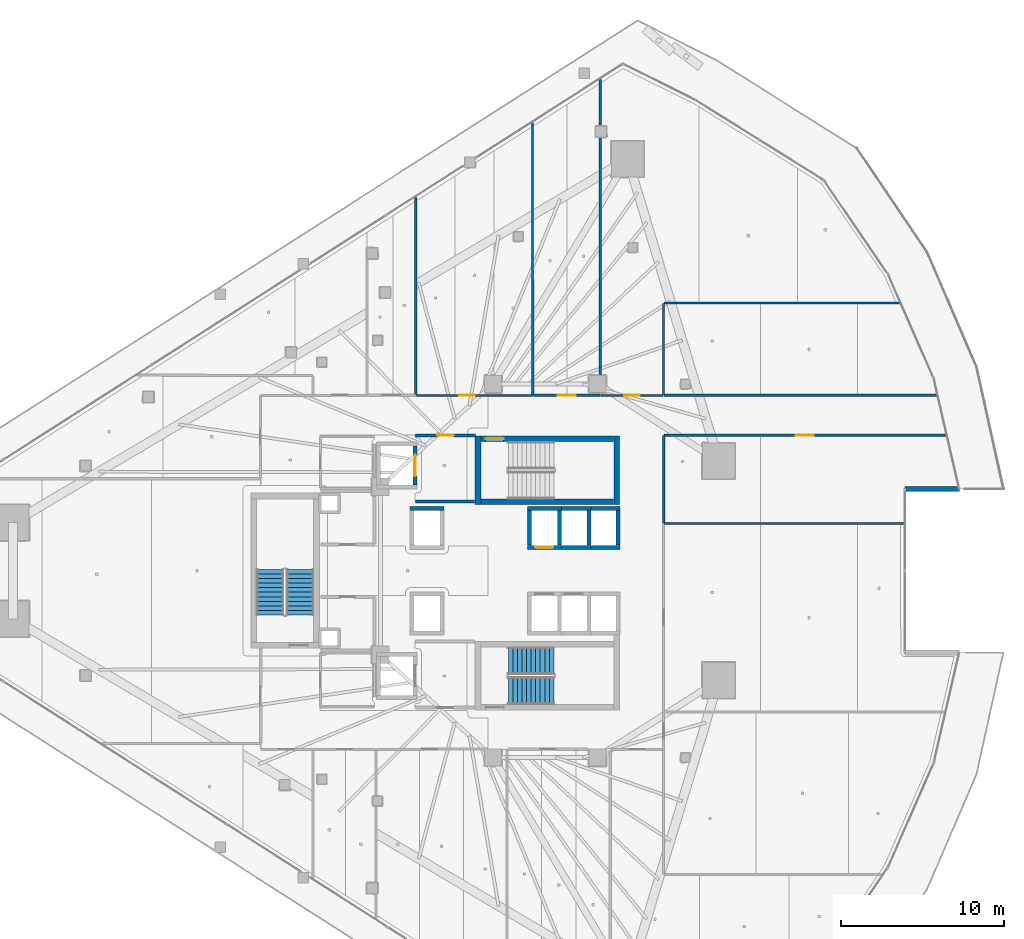
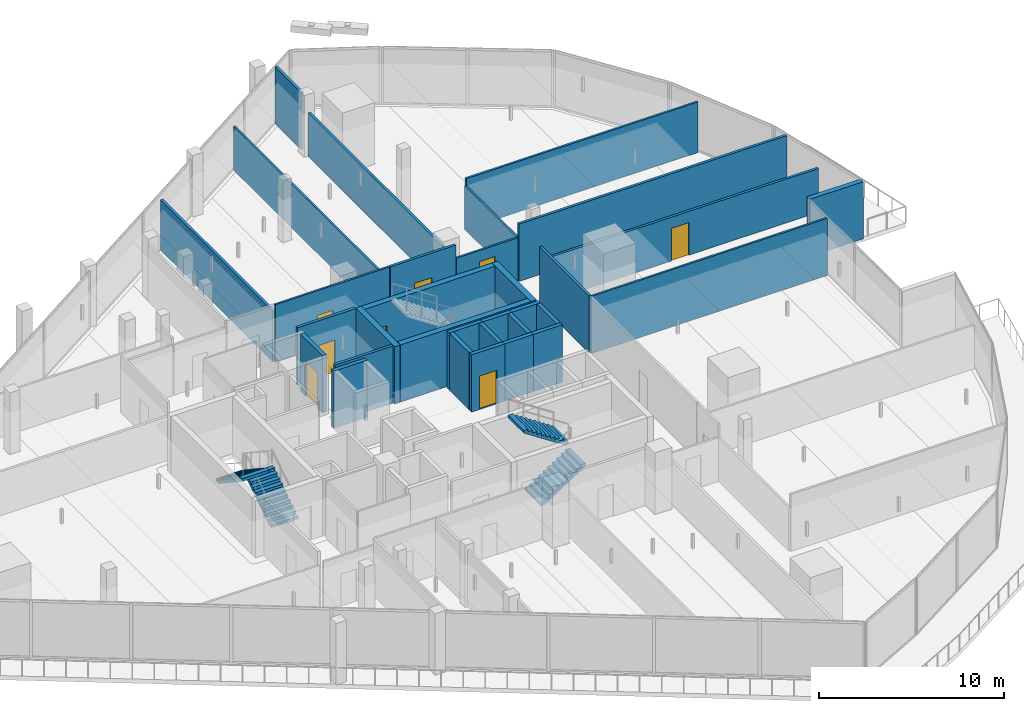
# One storey, part 32 of 45: 32 walls, 8 doors, 4 stair flights, 8 openings, 2 elements without a shape of their own.
"""IFC4 building model written with IfcOpenShell, lengths in metres."""

from ifc_helpers import new_model, si_unit, direction, frame, frame_2d, origin, place, context, subcontext, project, spatial, polyline, rectangle, outline, extrude, material, layer, layer_set, type_object, element, fill, aggregate, save


model = new_model("IFC4")

# Units and contexts
model_context = context("Model", 3, precision=1e-05, world=origin(), true_north=direction((0.0, 1.0)))
body_context = subcontext(model_context, "Body", "Model", "MODEL_VIEW")
ifc_project = project(units=[si_unit("LENGTHUNIT", "METRE"), si_unit("AREAUNIT", "SQUARE_METRE"), si_unit("VOLUMEUNIT", "CUBIC_METRE"), si_unit("PLANEANGLEUNIT", "RADIAN"), si_unit("MASSUNIT", "GRAM", prefix="KILO")], contexts=[model_context])

# Site, building, storey
site_placement = place(None, origin())
site = spatial("IfcSite", under=ifc_project, at=site_placement, CompositionType="ELEMENT")
building_placement = place(site_placement, origin())
building = spatial("IfcBuilding", under=site, at=building_placement, Name="Qorvath Tower", CompositionType="ELEMENT")
storey_placement = place(building_placement, frame((0.0, 0.0, 109.800048828125)))
storey = spatial("IfcBuildingStorey", under=building, at=storey_placement, Name="L24", CompositionType="ELEMENT", Elevation=109.800048828125)

# Wall
ifc_material_1 = material(Name="Gypsum shaftliner on steel studs", Category="steel")
ifc_layer_1 = layer(ifc_material_1, 0.179931640625)
ifc_layer_set_1 = layer_set([ifc_layer_1], Name="FW-LOBBY")
wall_type_1 = type_object("IfcWallType", Name="FW-LOBBY", PredefinedType="PARTITIONING", material=ifc_layer_set_1)
wall_1_placement = place(storey_placement, frame((-28.35498046875, 4.25, 0.0), z_axis=(0.0, 0.0, 1.0), x_axis=(1.0, 0.0, 0.0)))
element("IfcWall", 1, at=wall_1_placement, inside=storey, type_object=wall_type_1, Name="Interior Partition IW-T1-L24-001", PredefinedType="PARTITIONING", context=body_context, shape_type="SweptSolid", body=[
    extrude(rectangle(XDim=3.6220703125, YDim=0.179931640625, at=frame_2d((1.81103515625, 0.0))), origin(), (0.0, 0.0, 1.0), 3.77001953125),
])

# Wall, opening, door
wall_2_placement = place(storey_placement, frame((-24.68408203125, 8.300048828125, 0.0), z_axis=(0.0, 0.0, 1.0), x_axis=(-1.0, 0.0, 0.0)))
wall_2 = element("IfcWall", 2, at=wall_2_placement, inside=storey, type_object=wall_type_1, Name="Interior Partition IW-T1-L24-002", PredefinedType="PARTITIONING", context=body_context, shape_type="SweptSolid", body=[
    extrude(rectangle(XDim=3.6708984375, YDim=0.179931640625, at=frame_2d((1.83544921875, 0.0))), origin(), (0.0, 0.0, 1.0), 3.77001953125),
])
opening_1_placement = place(wall_2_placement, frame((1.33544921875, 0.0, 0.0)))
opening_1 = element("IfcOpeningElement", 3, at=opening_1_placement, cuts=wall_2, Name="Opening D-T1-L24-19", PredefinedType="OPENING", context=body_context, shape_type="SweptSolid", body=[
    extrude(rectangle(XDim=1.0, YDim=2.14990234375, at=frame_2d((0.5, 1.074951171875))), frame((0.0, 0.10009765625, 0.0), z_axis=(0.0, -1.0, 0.0), x_axis=(1.0, 0.0, 0.0)), (0.0, 0.0, 1.0), 0.199951171875),
])
ifc_material_2 = material(Name="Painted galvanised hollow metal", Category="steel")
door_type_1 = type_object("IfcDoorType", Name="FD-60", OperationType="NOTDEFINED", PredefinedType="DOOR", material=ifc_material_2)
door_1_placement = place(opening_1_placement, origin())
door_1 = element("IfcDoor", 4, at=door_1_placement, inside=storey, type_object=door_type_1, Name="Lobby Fire Service Elevator North Door D-T1-L24-19", OperationType="SINGLE_SWING_LEFT", OverallHeight=2.14990234375, OverallWidth=1.0, PredefinedType="DOOR", context=body_context, shape_type="SweptSolid", body=[
    extrude(rectangle(XDim=1.0, YDim=2.14990234375, at=frame_2d((0.5, 1.074951171875))), frame((0.0, 0.02490234375, 0.0), z_axis=(0.0, -1.0, 0.0), x_axis=(1.0, 0.0, 0.0)), (0.0, 0.0, 1.0), 0.050048828125),
])
fill(opening_1, door_1)

# Wall
ifc_material_3 = material(Name="Double acoustic gypsum board on steel studs", Category="steel")
ifc_layer_2 = layer(ifc_material_3, 0.159912109375)
ifc_layer_set_2 = layer_set([ifc_layer_2], Name="IW-ACOUSTIC-160")
wall_type_2 = type_object("IfcWallType", Name="IW-ACOUSTIC-160", PredefinedType="PARTITIONING", material=ifc_layer_set_2)
wall_3_placement = place(storey_placement, frame((-28.331298828125, 10.783203125, 0.0), z_axis=(0.0, 0.0, 1.0), x_axis=(0.0, 1.0, 0.0)))
element("IfcWall", 5, at=wall_3_placement, inside=storey, type_object=wall_type_2, Name="Interior Partition IW-T1-L24-024", PredefinedType="PARTITIONING", context=body_context, shape_type="SweptSolid", body=[
    extrude(rectangle(XDim=12.105712890625, YDim=0.159912109375, at=frame_2d((6.052734375, 0.0))), origin(), (0.0, 0.0, 1.0), 3.334228515625),
])

# Wall, opening, door
wall_4_placement = place(storey_placement, frame((-21.13525390625, 10.758056640625, 0.0), z_axis=(0.0, 0.0, 1.0), x_axis=(1.0, 0.0, 0.0)))
wall_4 = element("IfcWall", 6, at=wall_4_placement, inside=storey, type_object=wall_type_2, Name="Interior Partition IW-T1-L24-027", PredefinedType="PARTITIONING", context=body_context, shape_type="SweptSolid", body=[
    extrude(rectangle(XDim=4.07861328125, YDim=0.159912109375, at=frame_2d((2.039306640625, 0.0))), origin(), (0.0, 0.0, 1.0), 3.77001953125),
])
opening_2_placement = place(wall_4_placement, frame((1.4892578125, 0.0, 0.0)))
opening_2 = element("IfcOpeningElement", 7, at=opening_2_placement, cuts=wall_4, Name="Opening D-T1-L24-08", PredefinedType="OPENING", context=body_context, shape_type="SweptSolid", body=[
    extrude(rectangle(XDim=1.10009765625, YDim=2.14990234375, at=frame_2d((0.550048828125, 1.074951171875))), frame((0.0, 0.08984375, 0.0), z_axis=(0.0, -1.0, 0.0), x_axis=(1.0, 0.0, 0.0)), (0.0, 0.0, 1.0), 0.179931640625),
])
ifc_material_4 = material(Name="Anodised aluminium acoustic framed glass", Category="aluminium")
door_type_2 = type_object("IfcDoorType", Name="D-03", OperationType="NOTDEFINED", PredefinedType="DOOR", material=ifc_material_4)
door_2_placement = place(opening_2_placement, origin())
door_2 = element("IfcDoor", 8, at=door_2_placement, inside=storey, type_object=door_type_2, Name="L24-04 Client Services Office Door D-T1-L24-08", OperationType="SINGLE_SWING_RIGHT", OverallHeight=2.14990234375, OverallWidth=1.10009765625, PredefinedType="DOOR", context=body_context, shape_type="SweptSolid", body=[
    extrude(rectangle(XDim=1.10009765625, YDim=2.14990234375, at=frame_2d((0.550048828125, 1.074951171875))), frame((0.0, 0.02490234375, 0.0), z_axis=(0.0, -1.0, 0.0), x_axis=(1.0, 0.0, 0.0)), (0.0, 0.0, 1.0), 0.050048828125),
])
fill(opening_2, door_2)

# Walls
wall_5_placement = place(storey_placement, frame((-17.03173828125, 12.0400390625, 0.0), z_axis=(0.0, 0.0, 1.0), x_axis=(0.0, 1.0, 0.0)))
element("IfcWall", 9, at=wall_5_placement, inside=storey, type_object=wall_type_2, Name="Interior Partition IW-T1-L24-028", PredefinedType="PARTITIONING", context=body_context, shape_type="SweptSolid", body=[
    extrude(rectangle(XDim=14.499267578125, YDim=0.159912109375, at=frame_2d((7.24951171875, 0.0))), origin(), (0.0, 0.0, 1.0), 2.885009765625),
])
wall_6_placement = place(storey_placement, frame((-17.03173828125, 27.319091796875, 0.0), z_axis=(0.0, 0.0, 1.0), x_axis=(0.0, 1.0, 0.0)))
element("IfcWall", 10, at=wall_6_placement, inside=storey, type_object=wall_type_2, Name="Interior Partition IW-T1-L24-029", PredefinedType="PARTITIONING", context=body_context, shape_type="SweptSolid", body=[
    extrude(rectangle(XDim=2.791748046875, YDim=0.159912109375, at=frame_2d((1.39599609375, 0.0))), origin(), (0.0, 0.0, 1.0), 3.77001953125),
])
wall_7_placement = place(storey_placement, frame((3.581298828125, 10.758056640625, 0.0), z_axis=(0.0, 0.0, 1.0), x_axis=(-1.0, 0.0, 0.0)))
element("IfcWall", 11, at=wall_7_placement, inside=storey, type_object=wall_type_2, Name="Interior Partition IW-T1-L24-049", PredefinedType="PARTITIONING", context=body_context, shape_type="SweptSolid", body=[
    extrude(rectangle(XDim=16.698486328125, YDim=0.159912109375, at=frame_2d((8.34912109375, 0.0))), origin(), (0.0, 0.0, 1.0), 3.77001953125),
])

# Wall, opening, door
wall_8_placement = place(storey_placement, frame((-13.1171875, 8.31201171875, 0.0), z_axis=(0.0, 0.0, 1.0), x_axis=(1.0, 0.0, 0.0)))
wall_8 = element("IfcWall", 12, at=wall_8_placement, inside=storey, type_object=wall_type_2, Name="Interior Partition IW-T1-L24-050", PredefinedType="PARTITIONING", context=body_context, shape_type="SweptSolid", body=[
    extrude(rectangle(XDim=17.263916015625, YDim=0.159912109375, at=frame_2d((8.6318359375, 0.0))), origin(), (0.0, 0.0, 1.0), 2.885009765625),
])
opening_3_placement = place(wall_8_placement, frame((8.08203125, 0.0, 0.0)))
opening_3 = element("IfcOpeningElement", 13, at=opening_3_placement, cuts=wall_8, Name="Opening D-T1-L24-16", PredefinedType="OPENING", context=body_context, shape_type="SweptSolid", body=[
    extrude(rectangle(XDim=1.10009765625, YDim=2.14990234375, at=frame_2d((0.550048828125, 1.074951171875))), frame((0.0, 0.08984375, 0.0), z_axis=(0.0, -1.0, 0.0), x_axis=(1.0, 0.0, 0.0)), (0.0, 0.0, 1.0), 0.179931640625),
])
door_3_placement = place(opening_3_placement, origin())
door_3 = element("IfcDoor", 14, at=door_3_placement, inside=storey, type_object=door_type_2, Name="L24-12 Enclosed Conference Suite Door D-T1-L24-16", OperationType="SINGLE_SWING_RIGHT", OverallHeight=2.14990234375, OverallWidth=1.10009765625, PredefinedType="DOOR", context=body_context, shape_type="SweptSolid", body=[
    extrude(rectangle(XDim=1.10009765625, YDim=2.14990234375, at=frame_2d((0.550048828125, 1.074951171875))), frame((0.0, 0.02490234375, 0.0), z_axis=(0.0, -1.0, 0.0), x_axis=(1.0, 0.0, 0.0)), (0.0, 0.0, 1.0), 0.050048828125),
])
fill(opening_3, door_3)

# Wall
wall_9_placement = place(storey_placement, frame((-13.14208984375, 8.287109375, 0.0), z_axis=(0.0, 0.0, 1.0), x_axis=(0.0, -1.0, 0.0)))
element("IfcWall", 15, at=wall_9_placement, inside=storey, type_object=wall_type_2, Name="Interior Partition IW-T1-L24-051", PredefinedType="PARTITIONING", context=body_context, shape_type="SweptSolid", body=[
    extrude(rectangle(XDim=5.35107421875, YDim=0.159912109375, at=frame_2d((2.675537109375, 0.0))), origin(), (0.0, 0.0, 1.0), 3.77001953125),
])

# Wall, opening, door
ifc_material_5 = material(Name="Gypsum board on metal studs with mineral wool", Category="gypsum")
ifc_layer_3 = layer(ifc_material_5, 0.125)
ifc_layer_set_3 = layer_set([ifc_layer_3], Name="IW-PART-125")
wall_type_3 = type_object("IfcWallType", Name="IW-PART-125", PredefinedType="PARTITIONING", material=ifc_layer_set_3)
wall_10_placement = place(storey_placement, frame((-28.298583984375, 10.758056640625, 0.0), z_axis=(0.0, 0.0, 1.0), x_axis=(1.0, 0.0, 0.0)))
wall_10 = element("IfcWall", 16, at=wall_10_placement, inside=storey, type_object=wall_type_3, Name="Interior Partition IW-T1-L24-025", PredefinedType="PARTITIONING", context=body_context, shape_type="SweptSolid", body=[
    extrude(rectangle(XDim=7.10546875, YDim=0.125, at=frame_2d((3.552734375, 0.0))), origin(), (0.0, 0.0, 1.0), 3.77001953125),
])
opening_4_placement = place(wall_10_placement, frame((2.63818359375, 0.0, 0.0)))
opening_4 = element("IfcOpeningElement", 17, at=opening_4_placement, cuts=wall_10, Name="Opening D-T1-L24-07", PredefinedType="OPENING", context=body_context, shape_type="SweptSolid", body=[
    extrude(rectangle(XDim=0.949951171875, YDim=2.14990234375, at=frame_2d((0.47509765625, 1.074951171875))), frame((0.0, 0.072509765625, 0.0), z_axis=(0.0, -1.0, 0.0), x_axis=(1.0, 0.0, 0.0)), (0.0, 0.0, 1.0), 0.14501953125),
])
ifc_material_6 = material(Name="Solid-core American white oak veneer", Category="wood")
door_type_3 = type_object("IfcDoorType", Name="D-01", OperationType="NOTDEFINED", PredefinedType="DOOR", material=ifc_material_6)
door_4_placement = place(opening_4_placement, origin())
door_4 = element("IfcDoor", 18, at=door_4_placement, inside=storey, type_object=door_type_3, Name="L24-03 Focus Collaboration Pod Door D-T1-L24-07", OperationType="SINGLE_SWING_LEFT", OverallHeight=2.14990234375, OverallWidth=0.949951171875, PredefinedType="DOOR", context=body_context, shape_type="SweptSolid", body=[
    extrude(rectangle(XDim=0.949951171875, YDim=2.14990234375, at=frame_2d((0.47509765625, 1.074951171875))), frame((0.0, 0.02490234375, 0.0), z_axis=(0.0, -1.0, 0.0), x_axis=(1.0, 0.0, 0.0)), (0.0, 0.0, 1.0), 0.050048828125),
])
fill(opening_4, door_4)

# Wall
wall_11_placement = place(storey_placement, frame((-21.168212890625, 10.783203125, 0.0), z_axis=(0.0, 0.0, 1.0), x_axis=(-0.000190255964, 0.999999981901, 0.0)))
element("IfcWall", 19, at=wall_11_placement, inside=storey, type_object=wall_type_3, Name="Interior Partition IW-T1-L24-026", PredefinedType="PARTITIONING", context=body_context, shape_type="SweptSolid", body=[
    extrude(rectangle(XDim=16.681884765625, YDim=0.125, at=frame_2d((8.3408203125, 0.0))), origin(), (0.0, 0.0, 1.0), 2.885009765625),
])

# Wall, opening, door
wall_12_placement = place(storey_placement, frame((-16.998779296875, 10.758056640625, 0.0), z_axis=(0.0, 0.0, 1.0), x_axis=(1.0, 0.0, 0.0)))
wall_12 = element("IfcWall", 20, at=wall_12_placement, inside=storey, type_object=wall_type_3, Name="Interior Partition IW-T1-L24-030", PredefinedType="PARTITIONING", context=body_context, shape_type="SweptSolid", body=[
    extrude(rectangle(XDim=3.823974609375, YDim=0.125, at=frame_2d((1.912109375, 0.0))), origin(), (0.0, 0.0, 1.0), 2.885009765625),
])
opening_5_placement = place(wall_12_placement, frame((1.43701171875, 0.0, 0.0)))
opening_5 = element("IfcOpeningElement", 21, at=opening_5_placement, cuts=wall_12, Name="Opening D-T1-L24-09", PredefinedType="OPENING", context=body_context, shape_type="SweptSolid", body=[
    extrude(rectangle(XDim=0.949951171875, YDim=2.14990234375, at=frame_2d((0.47509765625, 1.074951171875))), frame((0.0, 0.072509765625, 0.0), z_axis=(0.0, -1.0, 0.0), x_axis=(1.0, 0.0, 0.0)), (0.0, 0.0, 1.0), 0.14501953125),
])
door_5_placement = place(opening_5_placement, origin())
door_5 = element("IfcDoor", 22, at=door_5_placement, inside=storey, type_object=door_type_3, Name="L24-05 Project Collaboration Workspace Door D-T1-L24-09", OperationType="SINGLE_SWING_LEFT", OverallHeight=2.14990234375, OverallWidth=0.949951171875, PredefinedType="DOOR", context=body_context, shape_type="SweptSolid", body=[
    extrude(rectangle(XDim=0.949951171875, YDim=2.14990234375, at=frame_2d((0.47509765625, 1.074951171875))), frame((0.0, 0.02490234375, 0.0), z_axis=(0.0, -1.0, 0.0), x_axis=(1.0, 0.0, 0.0)), (0.0, 0.0, 1.0), 0.050048828125),
])
fill(opening_5, door_5)

# Walls
wall_13_placement = place(storey_placement, frame((-13.14990234375, 16.389892578125, 0.0), z_axis=(0.0, 0.0, 1.0), x_axis=(0.0, -1.0, 0.0)))
element("IfcWall", 23, at=wall_13_placement, inside=storey, type_object=wall_type_3, Name="Interior Partition IW-T1-L24-031", PredefinedType="PARTITIONING", context=body_context, shape_type="SweptSolid", body=[
    extrude(rectangle(XDim=5.606689453125, YDim=0.125, at=frame_2d((2.80322265625, 0.0))), origin(), (0.0, 0.0, 1.0), 2.889892578125),
])
wall_14_placement = place(storey_placement, frame((-13.125, 16.4150390625, 0.0), z_axis=(0.0, 0.0, 1.0), x_axis=(0.999999910658, 0.000422711402, 0.0)))
element("IfcWall", 24, at=wall_14_placement, inside=storey, type_object=wall_type_3, Name="Interior Partition IW-T1-L24-032", PredefinedType="PARTITIONING", context=body_context, shape_type="SweptSolid", body=[
    extrude(rectangle(XDim=14.43896484375, YDim=0.125, at=frame_2d((7.219482421875, 0.0))), origin(), (0.0, 0.0, 1.0), 3.334228515625),
])
wall_15_placement = place(storey_placement, frame((1.568603515625, 2.9033203125, 0.0), z_axis=(0.0, 0.0, 1.0), x_axis=(-1.0, 0.0, 0.0)))
element("IfcWall", 25, at=wall_15_placement, inside=storey, type_object=wall_type_3, Name="Interior Partition IW-T1-L24-047", PredefinedType="PARTITIONING", context=body_context, shape_type="SweptSolid", body=[
    extrude(rectangle(XDim=14.685791015625, YDim=0.125, at=frame_2d((7.3427734375, 0.0))), origin(), (0.0, 0.0, 1.0), 3.77001953125),
])

# Wall, opening, door
ifc_material_7 = material(Name="Concrete C60/75", Category="concrete")
ifc_layer_4 = layer(ifc_material_7, 0.260009765625)
ifc_layer_set_4 = layer_set([ifc_layer_4], Name="SW-SHAFT")
wall_type_4 = type_object("IfcWallType", Name="SW-SHAFT", PredefinedType="SHEAR", material=ifc_layer_set_4)
wall_16_placement = place(storey_placement, frame((-28.3798828125, 7.637939453125, 0.0), z_axis=(0.0, 0.0, 1.0), x_axis=(0.0, -1.0, 0.0)))
wall_16 = element("IfcWall", 26, at=wall_16_placement, inside=storey, type_object=wall_type_4, Name="Hoistway Wall FSAE-1 L24 E", PredefinedType="SHEAR", context=body_context, shape_type="SweptSolid", body=[
    extrude(rectangle(XDim=2.3759765625, YDim=0.239990234375, at=frame_2d((1.18798828125, 0.0))), origin(), (0.0, 0.0, 1.0), 3.77001953125),
])
opening_6_placement = place(wall_16_placement, frame((0.537841796875, 0.0, 0.0)))
opening_6 = element("IfcOpeningElement", 27, at=opening_6_placement, cuts=wall_16, Name="Opening LD-FSAE-1-L24", PredefinedType="OPENING", context=body_context, shape_type="SweptSolid", body=[
    extrude(rectangle(XDim=1.300048828125, YDim=2.300048828125, at=frame_2d((0.64990234375, 1.14990234375))), frame((0.0, 0.1298828125, 0.0), z_axis=(0.0, -1.0, 0.0), x_axis=(1.0, 0.0, 0.0)), (0.0, 0.0, 1.0), 0.260009765625),
])
ifc_material_8 = material(Name="Brushed stainless steel AISI 316", Category="steel")
door_type_4 = type_object("IfcDoorType", Name="LD-02", OperationType="NOTDEFINED", PredefinedType="DOOR", material=ifc_material_8)
door_6_placement = place(opening_6_placement, origin())
door_6 = element("IfcDoor", 28, at=door_6_placement, inside=storey, type_object=door_type_4, Name="Elevator Landing Sliding Door LD-FSAE-1-L24", OperationType="DOUBLE_DOOR_SLIDING", OverallHeight=2.300048828125, OverallWidth=1.300048828125, PredefinedType="DOOR", context=body_context, shape_type="SweptSolid", body=[
    extrude(rectangle(XDim=1.300048828125, YDim=2.300048828125, at=frame_2d((0.64990234375, 1.14990234375))), frame((0.0, 0.02490234375, 0.0), z_axis=(0.0, -1.0, 0.0), x_axis=(1.0, 0.0, 0.0)), (0.0, 0.0, 1.0), 0.050048828125),
])
fill(opening_6, door_6)

# Wall
wall_17_placement = place(storey_placement, frame((-28.68994140625, 3.820068359375, 0.0), z_axis=(0.0, 0.0, 1.0), x_axis=(1.0, 0.0, 0.0)))
element("IfcWall", 29, at=wall_17_placement, inside=storey, type_object=wall_type_4, Name="Hoistway Wall PS-1 L24 N", PredefinedType="SHEAR", context=body_context, shape_type="SweptSolid", body=[
    extrude(rectangle(XDim=2.079833984375, YDim=0.239990234375, at=frame_2d((1.0400390625, 0.0))), origin(), (0.0, 0.0, 1.0), 3.77001953125),
])

# Wall, opening, door
wall_18_placement = place(storey_placement, frame((-19.409912109375, 1.429931640625, 0.0), z_axis=(0.0, 0.0, 1.0), x_axis=(-1.0, 0.0, 0.0)))
wall_18 = element("IfcWall", 30, at=wall_18_placement, inside=storey, type_object=wall_type_4, Name="Hoistway Wall PM-1 L24 S", PredefinedType="SHEAR", context=body_context, shape_type="SweptSolid", body=[
    extrude(rectangle(XDim=2.080078125, YDim=0.239990234375, at=frame_2d((1.0400390625, 0.0))), origin(), (0.0, 0.0, 1.0), 3.77001953125),
])
opening_7_placement = place(wall_18_placement, frame((0.489990234375, 0.0, 0.0)))
opening_7 = element("IfcOpeningElement", 31, at=opening_7_placement, cuts=wall_18, Name="Opening LD-PM-1-L24", PredefinedType="OPENING", context=body_context, shape_type="SweptSolid", body=[
    extrude(rectangle(XDim=1.10009765625, YDim=2.199951171875, at=frame_2d((0.550048828125, 1.10009765625))), frame((0.0, 0.1298828125, 0.0), z_axis=(0.0, -1.0, 0.0), x_axis=(1.0, 0.0, 0.0)), (0.0, 0.0, 1.0), 0.260009765625),
])
ifc_material_9 = material(Name="Brushed stainless steel AISI 316", Category="steel")
door_type_5 = type_object("IfcDoorType", Name="LD-01", OperationType="NOTDEFINED", PredefinedType="DOOR", material=ifc_material_9)
door_7_placement = place(opening_7_placement, origin())
door_7 = element("IfcDoor", 32, at=door_7_placement, inside=storey, type_object=door_type_5, Name="Elevator Landing Sliding Door LD-PM-1-L24", OperationType="DOUBLE_DOOR_SLIDING", OverallHeight=2.199951171875, OverallWidth=1.10009765625, PredefinedType="DOOR", context=body_context, shape_type="SweptSolid", body=[
    extrude(rectangle(XDim=1.10009765625, YDim=2.199951171875, at=frame_2d((0.550048828125, 1.10009765625))), frame((0.0, 0.02490234375, 0.0), z_axis=(0.0, -1.0, 0.0), x_axis=(1.0, 0.0, 0.0)), (0.0, 0.0, 1.0), 0.050048828125),
])
fill(opening_7, door_7)

# Walls
wall_19_placement = place(storey_placement, frame((-21.489990234375, 3.820068359375, 0.0), z_axis=(0.0, 0.0, 1.0), x_axis=(1.0, 0.0, 0.0)))
element("IfcWall", 33, at=wall_19_placement, inside=storey, type_object=wall_type_4, Name="Hoistway Wall PM-1 L24 N", PredefinedType="SHEAR", context=body_context, shape_type="SweptSolid", body=[
    extrude(rectangle(XDim=2.080078125, YDim=0.239990234375, at=frame_2d((1.0400390625, 0.0))), origin(), (0.0, 0.0, 1.0), 3.77001953125),
])
for number, where, z_axis, x_axis, name in (
    (34, (-21.3701171875, 1.56201171875, 0.0), (0.0, 0.0, 1.0), (0.0, 1.0, 0.0), "Hoistway Wall PM-1 L24 W"),
    (35, (-19.530029296875, 3.68798828125, 0.0), (0.0, 0.0, 1.0), (0.0, -1.0, 0.0), "Hoistway Wall PM-1 L24 E"),
):
    element("IfcWall", number, at=place(storey_placement, frame(where, z_axis=z_axis, x_axis=x_axis)), inside=storey, type_object=wall_type_4, Name=name, PredefinedType="SHEAR", context=body_context, shape_type="SweptSolid", body=[
        extrude(rectangle(XDim=2.1259765625, YDim=0.239990234375, at=frame_2d((1.06298828125, 0.0))), origin(), (0.0, 0.0, 1.0), 3.77001953125),
    ])
for number, where, z_axis, x_axis, name in (
    (36, (-17.610107421875, 1.429931640625, 0.0), (0.0, 0.0, 1.0), (-1.0, 0.0, 0.0), "Hoistway Wall PL-1 L24 S"),
    (37, (-19.409912109375, 3.820068359375, 0.0), (0.0, 0.0, 1.0), (1.0, 0.0, 0.0), "Hoistway Wall PL-1 L24 N"),
):
    element("IfcWall", number, at=place(storey_placement, frame(where, z_axis=z_axis, x_axis=x_axis)), inside=storey, type_object=wall_type_4, Name=name, PredefinedType="SHEAR", context=body_context, shape_type="SweptSolid", body=[
        extrude(rectangle(XDim=1.7998046875, YDim=0.239990234375, at=frame_2d((0.89990234375, 0.0))), origin(), (0.0, 0.0, 1.0), 3.77001953125),
    ])
wall_20_placement = place(storey_placement, frame((-17.72998046875, 3.68798828125, 0.0), z_axis=(0.0, 0.0, 1.0), x_axis=(0.0, -1.0, 0.0)))
element("IfcWall", 38, at=wall_20_placement, inside=storey, type_object=wall_type_4, Name="Hoistway Wall PL-1 L24 E", PredefinedType="SHEAR", context=body_context, shape_type="SweptSolid", body=[
    extrude(rectangle(XDim=2.1259765625, YDim=0.239990234375, at=frame_2d((1.06298828125, 0.0))), origin(), (0.0, 0.0, 1.0), 3.77001953125),
])
for number, where, z_axis, x_axis, name in (
    (39, (-15.81005859375, 1.429931640625, 0.0), (0.0, 0.0, 1.0), (-1.0, 0.0, 0.0), "Hoistway Wall PL-3 L24 S"),
    (40, (-17.610107421875, 3.820068359375, 0.0), (0.0, 0.0, 1.0), (1.0, 0.0, 0.0), "Hoistway Wall PL-3 L24 N"),
):
    element("IfcWall", number, at=place(storey_placement, frame(where, z_axis=z_axis, x_axis=x_axis)), inside=storey, type_object=wall_type_4, Name=name, PredefinedType="SHEAR", context=body_context, shape_type="SweptSolid", body=[
        extrude(rectangle(XDim=1.800048828125, YDim=0.239990234375, at=frame_2d((0.89990234375, 0.0))), origin(), (0.0, 0.0, 1.0), 3.77001953125),
    ])
wall_21_placement = place(storey_placement, frame((-15.929931640625, 3.68798828125, 0.0), z_axis=(0.0, 0.0, 1.0), x_axis=(0.0, -1.0, 0.0)))
element("IfcWall", 41, at=wall_21_placement, inside=storey, type_object=wall_type_4, Name="Hoistway Wall PL-3 L24 E", PredefinedType="SHEAR", context=body_context, shape_type="SweptSolid", body=[
    extrude(rectangle(XDim=2.1259765625, YDim=0.239990234375, at=frame_2d((1.06298828125, 0.0))), origin(), (0.0, 0.0, 1.0), 3.77001953125),
])
ifc_material_10 = material(Name="Concrete C60/75", Category="concrete")
ifc_layer_5 = layer(ifc_material_10, 0.35009765625)
ifc_layer_set_5 = layer_set([ifc_layer_5], Name="SW-STAIR")
wall_type_5 = type_object("IfcWallType", Name="SW-STAIR", PredefinedType="SHEAR", material=ifc_layer_set_5)
for number, where, z_axis, x_axis, name in (
    (42, (-24.52490234375, 8.260009765625, 0.0), (0.0, 0.0, 1.0), (0.0, -1.0, 0.0), "Stair TS1 Shear Wall L24 NEAR"),
    (43, (-16.02490234375, 4.050048828125, 0.0), (0.0, 0.0, 1.0), (0.0, 1.0, 0.0), "Stair TS1 Shear Wall L24 FAR"),
):
    element("IfcWall", number, at=place(storey_placement, frame(where, z_axis=z_axis, x_axis=x_axis)), inside=storey, type_object=wall_type_5, Name=name, PredefinedType="SHEAR", context=body_context, shape_type="SweptSolid", body=[
        extrude(rectangle(XDim=4.2099609375, YDim=0.35009765625, at=frame_2d((2.10498046875, 0.0))), origin(), (0.0, 0.0, 1.0), 3.77001953125),
    ])
wall_22_placement = place(storey_placement, frame((-24.3349609375, 4.22509765625, 0.0), z_axis=(0.0, 0.0, 1.0), x_axis=(1.0, 0.0, 0.0)))
element("IfcWall", 44, at=wall_22_placement, inside=storey, type_object=wall_type_5, Name="Stair TS1 Shear Wall L24 LEFT", PredefinedType="SHEAR", context=body_context, shape_type="SweptSolid", body=[
    extrude(rectangle(XDim=8.119873046875, YDim=0.35009765625, at=frame_2d((4.06005859375, 0.0))), origin(), (0.0, 0.0, 1.0), 3.77001953125),
])

# Wall, opening, door
wall_23_placement = place(storey_placement, frame((-16.215087890625, 8.0849609375, 0.0), z_axis=(0.0, 0.0, 1.0), x_axis=(-1.0, 0.0, 0.0)))
wall_23 = element("IfcWall", 45, at=wall_23_placement, inside=storey, type_object=wall_type_5, Name="Stair TS1 Shear Wall L24 RIGHT", PredefinedType="SHEAR", context=body_context, shape_type="SweptSolid", body=[
    extrude(rectangle(XDim=8.119873046875, YDim=0.35009765625, at=frame_2d((4.06005859375, 0.0))), origin(), (0.0, 0.0, 1.0), 3.77001953125),
])
opening_8_placement = place(wall_23_placement, frame((6.739990234375, 0.0, 0.0)))
opening_8 = element("IfcOpeningElement", 46, at=opening_8_placement, cuts=wall_23, Name="Opening D-TS1-L24", PredefinedType="OPENING", context=body_context, shape_type="SweptSolid", body=[
    extrude(rectangle(XDim=1.10009765625, YDim=2.199951171875, at=frame_2d((0.550048828125, 1.10009765625))), frame((0.0, 0.18505859375, 0.0), z_axis=(0.0, -1.0, 0.0), x_axis=(1.0, 0.0, 0.0)), (0.0, 0.0, 1.0), 0.3701171875),
])
ifc_material_11 = material(Name="Painted galvanised hollow metal", Category="steel")
door_type_6 = type_object("IfcDoorType", Name="FD-90", OperationType="NOTDEFINED", PredefinedType="DOOR", material=ifc_material_11)
door_8_placement = place(opening_8_placement, origin())
door_8 = element("IfcDoor", 47, at=door_8_placement, inside=storey, type_object=door_type_6, Name="Stair TS1 Fire Door L24", OperationType="SINGLE_SWING_LEFT", OverallHeight=2.199951171875, OverallWidth=1.10009765625, PredefinedType="DOOR", context=body_context, shape_type="SweptSolid", body=[
    extrude(rectangle(XDim=1.10009765625, YDim=2.199951171875, at=frame_2d((0.550048828125, 1.10009765625))), frame((0.0, 0.02490234375, 0.0), z_axis=(0.0, -1.0, 0.0), x_axis=(1.0, 0.0, 0.0)), (0.0, 0.0, 1.0), 0.050048828125),
])
fill(opening_8, door_8)

# Wall
ifc_material_12 = material(Name="Precast concrete C45/55", Category="concrete")
ifc_layer_6 = layer(ifc_material_12, 0.300048828125)
ifc_layer_set_6 = layer_set([ifc_layer_6], Name="WL-EW-LOG-300")
wall_type_6 = type_object("IfcWallType", Name="WL-EW-LOG-300", PredefinedType="SOLIDWALL", material=ifc_layer_set_6)
wall_24_placement = place(storey_placement, frame((1.648681640625, 5.01123046875, 0.0), z_axis=(0.0, 0.0, 1.0), x_axis=(1.0, 0.0, 0.0)))
element("IfcWall", 48, at=wall_24_placement, inside=storey, type_object=wall_type_6, Name="Tower Precast Loggia Wall L24-10.1", PredefinedType="SOLIDWALL", context=body_context, shape_type="SweptSolid", body=[
    extrude(rectangle(XDim=3.3408203125, YDim=0.300048828125, at=frame_2d((1.67041015625, 0.0))), origin(), (0.0, 0.0, 1.0), 3.77001953125),
])

# Stair, stair flights
ifc_material_13 = material(Name="Concrete C50/60", Category="concrete")
stair_type = type_object("IfcStairType", Name="ST-H405", PredefinedType="HALF_TURN_STAIR", material=ifc_material_13)
stair_1_placement = place(storey_placement, origin())
stair_1 = element("IfcStair", 49, at=stair_1_placement, inside=storey, type_object=stair_type, Name="L24 Tower Exit Stair 2", PredefinedType="HALF_TURN_STAIR")
ifc_material_14 = material(Name="Concrete C50/60", Category="concrete")
ifc_layer_7 = layer(ifc_material_14, 0.14990234375)
ifc_layer_set_7 = layer_set([ifc_layer_7], Name="SF-H405")
stair_flight_type = type_object("IfcStairFlightType", Name="SF-H405", PredefinedType="STRAIGHT", material=ifc_layer_set_7)
stair_flight_1_placement = place(storey_placement, frame((-22.669921875, -7.360107421875, 0.0), z_axis=(0.0, 0.0, 1.0), x_axis=(1.0, 0.0, 0.0)))
stair_flight_1 = element("IfcStairFlight", 50, at=stair_flight_1_placement, type_object=stair_flight_type, Name="TS2 flight 1", NumberOfRisers=11, NumberOfTreads=10, PredefinedType="STRAIGHT", RiserHeight=0.184090909, TreadLength=0.28, context=body_context, shape_type="SweptSolid", body=[
    extrude(outline(polyline([(0.0, 0.0), (0.0, 0.18408203125), (0.280029296875, 0.18408203125), (0.280029296875, 0.3681640625), (0.56005859375, 0.3681640625), (0.56005859375, 0.55224609375), (0.840087890625, 0.55224609375), (0.840087890625, 0.736328125), (1.1201171875, 0.736328125), (1.1201171875, 0.92041015625), (1.39990234375, 0.92041015625), (1.39990234375, 1.1044921875), (1.679931640625, 1.1044921875), (1.679931640625, 1.28857421875), (1.9599609375, 1.28857421875), (1.9599609375, 1.47265625), (2.239990234375, 1.47265625), (2.239990234375, 1.65673828125), (2.52001953125, 1.65673828125), (2.52001953125, 1.8408203125), (2.800048828125, 1.8408203125), (2.800048828125, 2.02490234375), (2.800048828125, 1.66162109375), (0.27294921875, 0.0), (0.0, 0.0)])), frame((0.0, 0.83984375, 0.0), z_axis=(0.0, -1.0, 0.0), x_axis=(1.0, 0.0, 0.0)), (0.0, 0.0, 1.0), 1.679931640625),
])
stair_flight_2_placement = place(storey_placement, frame((-19.8701171875, -5.530029296875, 2.02490234375), z_axis=(0.0, 0.0, 1.0), x_axis=(-1.0, 0.0, 0.0)))
stair_flight_2 = element("IfcStairFlight", 51, at=stair_flight_2_placement, type_object=stair_flight_type, Name="TS2 flight 2", NumberOfRisers=11, NumberOfTreads=10, PredefinedType="STRAIGHT", RiserHeight=0.184090909, TreadLength=0.28, context=body_context, shape_type="SweptSolid", body=[
    extrude(outline(polyline([(0.0, 0.0), (0.0, 0.18408203125), (0.280029296875, 0.18408203125), (0.280029296875, 0.3681640625), (0.56005859375, 0.3681640625), (0.56005859375, 0.55224609375), (0.840087890625, 0.55224609375), (0.840087890625, 0.736328125), (1.1201171875, 0.736328125), (1.1201171875, 0.92041015625), (1.39990234375, 0.92041015625), (1.39990234375, 1.1044921875), (1.679931640625, 1.1044921875), (1.679931640625, 1.28857421875), (1.9599609375, 1.28857421875), (1.9599609375, 1.47265625), (2.239990234375, 1.47265625), (2.239990234375, 1.65673828125), (2.52001953125, 1.65673828125), (2.52001953125, 1.8408203125), (2.800048828125, 1.8408203125), (2.800048828125, 2.02490234375), (2.800048828125, 1.66162109375), (0.27294921875, 0.0), (0.0, 0.0)])), frame((0.0, 0.83984375, 0.0), z_axis=(0.0, -1.0, 0.0), x_axis=(1.0, 0.0, 0.0)), (0.0, 0.0, 1.0), 1.679931640625),
])
aggregate(stair_1, [stair_flight_1, stair_flight_2])

stair_2_placement = place(storey_placement, origin())
stair_2 = element("IfcStair", 52, at=stair_2_placement, inside=storey, type_object=stair_type, Name="L24 Tower Exit Stair 3", PredefinedType="HALF_TURN_STAIR")
stair_flight_3_placement = place(storey_placement, frame((-35.43994140625, -2.719970703125, 0.0), z_axis=(0.0, 0.0, 1.0), x_axis=(0.0, 1.0, 0.0)))
stair_flight_3 = element("IfcStairFlight", 53, at=stair_flight_3_placement, type_object=stair_flight_type, Name="TS3 flight 1", NumberOfRisers=11, NumberOfTreads=10, PredefinedType="STRAIGHT", RiserHeight=0.184090909, TreadLength=0.28, context=body_context, shape_type="SweptSolid", body=[
    extrude(outline(polyline([(0.0, 0.0), (0.0, 0.18408203125), (0.280029296875, 0.18408203125), (0.280029296875, 0.3681640625), (0.56005859375, 0.3681640625), (0.56005859375, 0.55224609375), (0.840087890625, 0.55224609375), (0.840087890625, 0.736328125), (1.1201171875, 0.736328125), (1.1201171875, 0.92041015625), (1.39990234375, 0.92041015625), (1.39990234375, 1.1044921875), (1.679931640625, 1.1044921875), (1.679931640625, 1.28857421875), (1.9599609375, 1.28857421875), (1.9599609375, 1.47265625), (2.239990234375, 1.47265625), (2.239990234375, 1.65673828125), (2.52001953125, 1.65673828125), (2.52001953125, 1.8408203125), (2.800048828125, 1.8408203125), (2.800048828125, 2.02490234375), (2.800048828125, 1.66162109375), (0.27294921875, 0.0), (0.0, 0.0)])), frame((0.0, 0.83984375, 0.0), z_axis=(0.0, -1.0, 0.0), x_axis=(1.0, 0.0, 0.0)), (0.0, 0.0, 1.0), 1.679931640625),
])
stair_flight_4_placement = place(storey_placement, frame((-37.27001953125, 0.080078125, 2.02490234375), z_axis=(0.0, 0.0, 1.0), x_axis=(0.0, -1.0, 0.0)))
stair_flight_4 = element("IfcStairFlight", 54, at=stair_flight_4_placement, type_object=stair_flight_type, Name="TS3 flight 2", NumberOfRisers=11, NumberOfTreads=10, PredefinedType="STRAIGHT", RiserHeight=0.184090909, TreadLength=0.28, context=body_context, shape_type="SweptSolid", body=[
    extrude(outline(polyline([(0.0, 0.0), (0.0, 0.18408203125), (0.280029296875, 0.18408203125), (0.280029296875, 0.3681640625), (0.56005859375, 0.3681640625), (0.56005859375, 0.55224609375), (0.840087890625, 0.55224609375), (0.840087890625, 0.736328125), (1.1201171875, 0.736328125), (1.1201171875, 0.92041015625), (1.39990234375, 0.92041015625), (1.39990234375, 1.1044921875), (1.679931640625, 1.1044921875), (1.679931640625, 1.28857421875), (1.9599609375, 1.28857421875), (1.9599609375, 1.47265625), (2.239990234375, 1.47265625), (2.239990234375, 1.65673828125), (2.52001953125, 1.65673828125), (2.52001953125, 1.8408203125), (2.800048828125, 1.8408203125), (2.800048828125, 2.02490234375), (2.800048828125, 1.66162109375), (0.27294921875, 0.0), (0.0, 0.0)])), frame((0.0, 0.83984375, 0.0), z_axis=(0.0, -1.0, 0.0), x_axis=(1.0, 0.0, 0.0)), (0.0, 0.0, 1.0), 1.679931640625),
])
aggregate(stair_2, [stair_flight_3, stair_flight_4])

save(model, "model.ifc")
